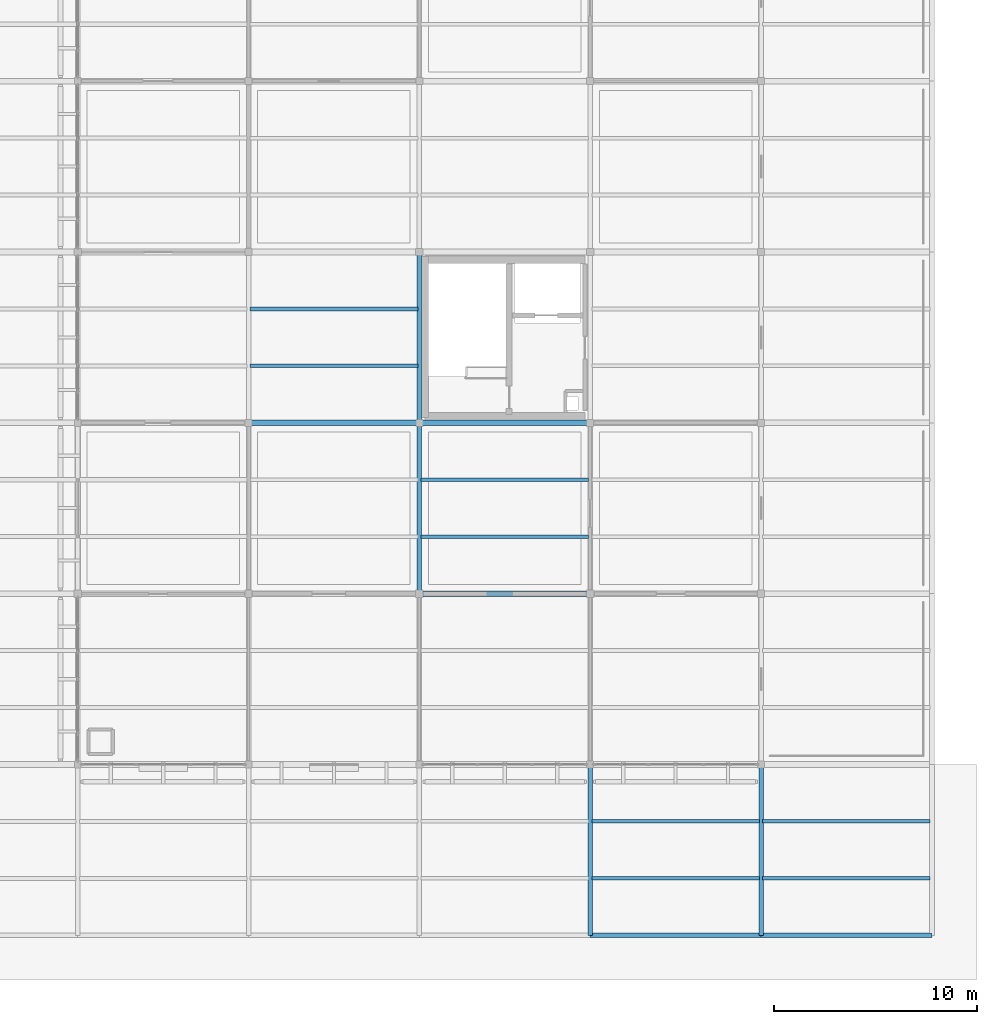
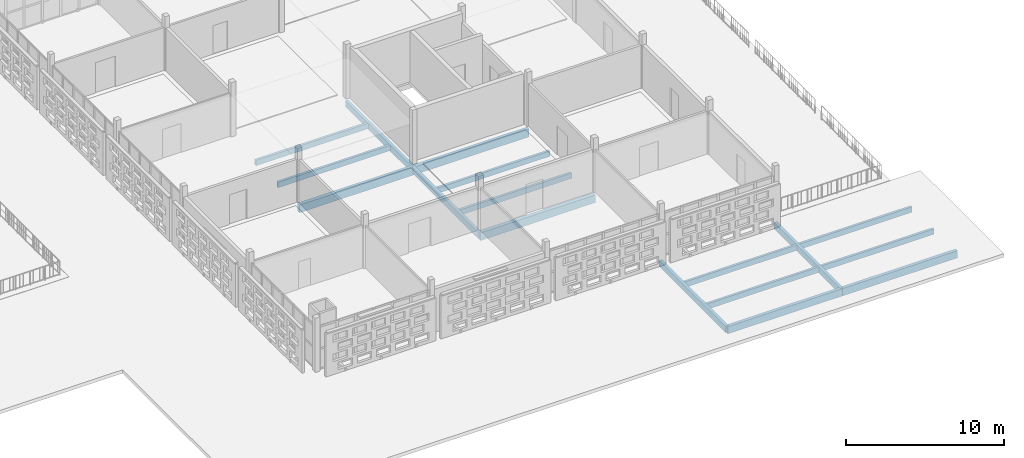
# One storey, part 59 of 166: 17 beams.
"""IFC4 building model written with IfcOpenShell, lengths in metres."""

import ifcopenshell
import ifcopenshell.guid

model = None  # the IFC model being written
_history = None  # IfcOwnerHistory: only IFC2X3 demands one
_inside = {}  # id of a spatial element -> (the spatial element, [elements in it])
_under = {}  # id of a project, library or spatial element -> (it, [spatial elements below it])
_declared = {}  # id of a project -> (the project, [libraries it declares])
_typed = {}  # id of a type object -> (the type object, [elements of that type])
_made_of = {}  # id of a material, layer set ... -> (it, [elements and type objects made of it])


def new_model(schema):
    """Start an empty IFC model of exactly this schema.

    Asked for "IFC4X3", IfcOpenShell would pick the latest addendum, in which some entities
    have other attributes; the version numbers below select the first issue.
    IFC2X3 requires an IfcOwnerHistory on every rooted entity: one is made here for all.
    """
    global model, _history
    if schema == "IFC4X3":
        model = ifcopenshell.file(schema_version=(4, 3, 0, 0))
    else:
        model = ifcopenshell.file(schema=schema)
    _inside.clear()
    _under.clear()
    _declared.clear()
    _typed.clear()
    _made_of.clear()
    _history = None
    if model.schema == "IFC2X3":
        org = make("IfcOrganization", Name="unknown")
        user = make(
            "IfcPersonAndOrganization",
            ThePerson=make("IfcPerson", FamilyName="unknown"),
            TheOrganization=org,
        )
        app = make(
            "IfcApplication",
            ApplicationDeveloper=org,
            Version="unknown",
            ApplicationFullName="unknown",
            ApplicationIdentifier="unknown",
        )
        _history = make(
            "IfcOwnerHistory",
            OwningUser=user,
            OwningApplication=app,
            ChangeAction="ADDED",
            CreationDate=0,
        )
    return model


def make(cls, **values):
    """One entity of the class cls with the attributes given. An attribute that is None is left unset."""
    return model.create_entity(
        cls, **{name: value for name, value in values.items() if value is not None}
    )


def rooted(cls, **values):
    """An entity with a GlobalId (a new one), such as an element, a storey or a relation."""
    return make(cls, GlobalId=ifcopenshell.guid.new(), OwnerHistory=_history, **values)


def si_unit(unit_type, name, prefix=None):
    """IfcSIUnit, for example si_unit("LENGTHUNIT", "METRE", prefix="MILLI")."""
    return make("IfcSIUnit", UnitType=unit_type, Prefix=prefix, Name=name)


def assignment(units):
    """IfcUnitAssignment: the units of a project."""
    return None if units is None else make("IfcUnitAssignment", Units=units)


def point(xyz):
    """IfcCartesianPoint."""
    return None if xyz is None else make("IfcCartesianPoint", Coordinates=xyz)


def direction(xyz):
    """IfcDirection."""
    return None if xyz is None else make("IfcDirection", DirectionRatios=xyz)


def frame(location, z_axis=None, x_axis=None):
    """IfcAxis2Placement3D, a coordinate frame: its origin and axes. An axis left out is left unset."""
    return make(
        "IfcAxis2Placement3D",
        Location=point(location),
        Axis=direction(z_axis),
        RefDirection=direction(x_axis),
    )


def frame_2d(location, x_axis=None):
    """IfcAxis2Placement2D, a coordinate frame in the plane: its origin and x axis."""
    return make(
        "IfcAxis2Placement2D", Location=point(location), RefDirection=direction(x_axis)
    )


def origin():
    """The frame at (0, 0, 0) with its axes left unset."""
    return frame((0.0, 0.0, 0.0))


def origin_2d():
    """The frame at (0, 0) in the plane with its x axis left unset."""
    return frame_2d((0.0, 0.0))


def place(relative_to, where):
    """IfcLocalPlacement: puts the frame where relative to a parent placement (None: the world)."""
    return make(
        "IfcLocalPlacement", PlacementRelTo=relative_to, RelativePlacement=where
    )


def context(
    kind, dimensions, precision=None, world=None, true_north=None, identifier=None
):
    """IfcGeometricRepresentationContext, for example the 3D "Model" context."""
    return make(
        "IfcGeometricRepresentationContext",
        ContextIdentifier=identifier,
        ContextType=kind,
        CoordinateSpaceDimension=dimensions,
        Precision=precision,
        WorldCoordinateSystem=world,
        TrueNorth=true_north,
    )


def subcontext(parent, identifier, kind, view, scale=None):
    """IfcGeometricRepresentationSubContext, for example "Body" below "Model"."""
    return make(
        "IfcGeometricRepresentationSubContext",
        ContextIdentifier=identifier,
        ContextType=kind,
        ParentContext=parent,
        TargetScale=scale,
        TargetView=view,
    )


def project(units=None, contexts=None):
    """IfcProject with its units and contexts."""
    return rooted(
        "IfcProject",
        Name="project",
        RepresentationContexts=contexts,
        UnitsInContext=assignment(units),
    )


def spatial(cls, under=None, at=None, **own):
    """A site, building, storey or space (cls), placed at a placement, below another one or the project."""
    s = rooted(cls, ObjectPlacement=at, **own)
    if under is not None:
        _under.setdefault(under.id(), (under, []))[1].append(s)
    return s


def profile(cls, at=None, kind="AREA", **sizes):
    """A parametric profile (cls). Its sizes go by their IFC names, for example OverallWidth=200.0."""
    return make(cls, ProfileType=kind, Position=at, **sizes)


def rectangle(**sizes):
    """IfcRectangleProfileDef."""
    return profile("IfcRectangleProfileDef", **sizes)


def extrude(swept, where, along, depth):
    """IfcExtrudedAreaSolid: the profile swept, set in the frame where, extruded along a direction by depth."""
    return make(
        "IfcExtrudedAreaSolid",
        SweptArea=swept,
        Position=where,
        ExtrudedDirection=direction(along),
        Depth=depth,
    )


def shape(context_of_items, identifier, shape_type, items):
    """IfcShapeRepresentation: the items that make up one representation, for example the "Body"."""
    return make(
        "IfcShapeRepresentation",
        ContextOfItems=context_of_items,
        RepresentationIdentifier=identifier,
        RepresentationType=shape_type,
        Items=items,
    )


def material(Name=None, Category=None):
    """IfcMaterial."""
    return make("IfcMaterial", Name=Name, Category=Category)


def material_profile(
    of_material, cross_section, Name=None, Category=None, Priority=None
):
    """IfcMaterialProfile: a cross section and its material."""
    return make(
        "IfcMaterialProfile",
        Name=Name,
        Material=of_material,
        Profile=cross_section,
        Priority=Priority,
        Category=Category,
    )


def profile_set(profiles, Name=None, composite=None):
    """IfcMaterialProfileSet."""
    return make(
        "IfcMaterialProfileSet",
        Name=Name,
        MaterialProfiles=profiles,
        CompositeProfile=composite,
    )


def made_of(thing, what):
    """Note that an element or type object is made of a material, layer set ...; save() writes the relation."""
    if what is not None:
        _made_of.setdefault(what.id(), (what, []))[1].append(thing)
    return thing


def type_object(cls, material=None, **own):
    """A type object (cls), such as IfcWallType, which elements share."""
    return made_of(rooted(cls, **own), material)


def element(
    cls,
    number,
    at=None,
    inside=None,
    cuts=None,
    type_object=None,
    material=None,
    context=None,
    identifier="Body",
    shape_type=None,
    held_by="IfcProductDefinitionShape",
    body=None,
    shapes=None,
    **own,
):
    """One element of the class cls, such as IfcWall. Its Tag is "e" and its number.

    at: its placement. inside: the storey or other place that contains it. cuts: it is an
    opening in that element (IfcRelVoidsElement). A single representation is given by context,
    identifier, shape_type and body (its items); several are given by shapes. held_by: the class
    of the entity that holds the representations. save() writes the other relations.
    """
    e = rooted(cls, Tag="e%d" % number, ObjectPlacement=at, **own)
    if body is not None:
        shapes = [shape(context, identifier, shape_type, body)]
    if shapes is not None:
        e.Representation = make(held_by, Representations=shapes)
    if inside is not None:
        _inside.setdefault(inside.id(), (inside, []))[1].append(e)
    if cuts is not None:
        rooted(
            "IfcRelVoidsElement", RelatingBuildingElement=cuts, RelatedOpeningElement=e
        )
    if type_object is not None:
        _typed.setdefault(type_object.id(), (type_object, []))[1].append(e)
    return made_of(e, material)


def aggregate(whole, parts):
    """IfcRelAggregates: a whole, such as a stair, and the parts it consists of."""
    return rooted("IfcRelAggregates", RelatingObject=whole, RelatedObjects=parts)


def save(model, path):
    """Write the relations noted so far, then the file.

    IfcRelAggregates (storeys below a building ...), IfcRelContainedInSpatialStructure (elements
    in a storey), IfcRelDefinesByType, IfcRelAssociatesMaterial and IfcRelDeclares: one each for
    every whole, place, type object, material and project.
    """
    for whole, parts in _under.values():
        aggregate(whole, parts)
    for where, things in _inside.values():
        rooted(
            "IfcRelContainedInSpatialStructure",
            RelatedElements=things,
            RelatingStructure=where,
        )
    for kind, things in _typed.values():
        rooted("IfcRelDefinesByType", RelatedObjects=things, RelatingType=kind)
    for what, things in _made_of.values():
        rooted("IfcRelAssociatesMaterial", RelatedObjects=things, RelatingMaterial=what)
    for by, libraries in _declared.values():
        rooted("IfcRelDeclares", RelatingContext=by, RelatedDefinitions=libraries)
    model.write(path)


model = new_model("IFC4")

# Units and contexts
model_context = context("Model", 3, precision=1e-05, world=origin(), true_north=direction((0.0, 1.0)))
body_context = subcontext(model_context, "Body", "Model", "MODEL_VIEW")
ifc_project = project(units=[si_unit("LENGTHUNIT", "METRE"), si_unit("AREAUNIT", "SQUARE_METRE"), si_unit("VOLUMEUNIT", "CUBIC_METRE"), si_unit("PLANEANGLEUNIT", "RADIAN"), si_unit("MASSUNIT", "GRAM", prefix="KILO")], contexts=[model_context])

# Site, building, storey
site_placement = place(None, origin())
site = spatial("IfcSite", under=ifc_project, at=site_placement, CompositionType="ELEMENT")
building_placement = place(site_placement, origin())
building = spatial("IfcBuilding", under=site, at=building_placement, Name="Varnapada Polytechnic", CompositionType="ELEMENT")
storey_placement = place(building_placement, frame((0.0, 0.0, 9.60009765625)))
storey = spatial("IfcBuildingStorey", under=building, at=storey_placement, Name="L02", CompositionType="ELEMENT", Elevation=9.60009765625)

# Beams
ifc_material = material(Name="Glulam GL32h", Category="wood")
ifc_material_profile_1 = material_profile(ifc_material, rectangle(XDim=0.239990234375, YDim=0.56005859375, at=origin_2d()), Name="GL 240x560")
ifc_profile_set_1 = profile_set([ifc_material_profile_1], Name="Glulam GL32h")
beam_type_1 = type_object("IfcBeamType", Name="Perimeter glulam spandrel beam SP-02 (GL 240x560)", PredefinedType="SPANDREL", material=ifc_profile_set_1)
for number, where, z_axis, x_axis, name in (
    (1, (159.60009765625, 0.0, -0.550048828125), (1.0, 0.0, 0.0), (0.0, 1.0, 0.0), "L02 beam X 20-21 at Y1"),
    (2, (168.0, 0.0, -0.550048828125), (1.0, 0.0, 0.0), (0.0, 1.0, 0.0), "L02 beam X 21-22 at Y1"),
):
    element("IfcBeam", number, at=place(storey_placement, frame(where, z_axis=z_axis, x_axis=x_axis)), inside=storey, type_object=beam_type_1, Name=name, PredefinedType="SPANDREL", context=body_context, shape_type="SweptSolid", body=[
        extrude(rectangle(XDim=0.239990234375, YDim=0.56005859375, at=origin_2d()), origin(), (0.0, 0.0, 1.0), 8.39990234375),
    ])
ifc_material_profile_2 = material_profile(ifc_material, rectangle(XDim=0.280029296875, YDim=0.60009765625, at=origin_2d()), Name="GL 280x600")
ifc_profile_set_2 = profile_set([ifc_material_profile_2], Name="Glulam GL32h")
beam_type_2 = type_object("IfcBeamType", Name="Reading hall glulam girder GG-08 (GL 280x600)", PredefinedType="BEAM", material=ifc_profile_set_2)
beam_1_placement = place(storey_placement, frame((142.800048828125, 25.199951171875, -0.550048828125), z_axis=(1.0, 0.0, 0.0), x_axis=(0.0, 1.0, 0.0)))
element("IfcBeam", 3, at=beam_1_placement, inside=storey, type_object=beam_type_2, Name="L02 beam X 18-19 at Y4", PredefinedType="BEAM", context=body_context, shape_type="SweptSolid", body=[
    extrude(rectangle(XDim=0.280029296875, YDim=0.60009765625, at=origin_2d()), origin(), (0.0, 0.0, 1.0), 8.39990234375),
])
for number, where, z_axis, x_axis, name in (
    (4, (151.199951171875, 16.800048828125, -0.550048828125), (1.0, 0.0, 0.0), (0.0, 1.0, 0.0), "L02 beam X 19-20 at Y3"),
    (5, (151.199951171875, 25.199951171875, -0.550048828125), (1.0, 0.0, 0.0), (0.0, 1.0, 0.0), "L02 beam X 19-20 at Y4"),
):
    element("IfcBeam", number, at=place(storey_placement, frame(where, z_axis=z_axis, x_axis=x_axis)), inside=storey, type_object=beam_type_2, Name=name, PredefinedType="BEAM", context=body_context, shape_type="SweptSolid", body=[
        extrude(rectangle(XDim=0.280029296875, YDim=0.60009765625, at=origin_2d()), origin(), (0.0, 0.0, 1.0), 8.400146484375),
    ])
ifc_material_profile_3 = material_profile(ifc_material, rectangle(XDim=0.179931640625, YDim=0.419921875, at=origin_2d()), Name="GL 180x420")
ifc_profile_set_3 = profile_set([ifc_material_profile_3], Name="Glulam GL32h")
beam_type_3 = type_object("IfcBeamType", Name="Reading hall glulam joist GJ-04 (GL 180x420)", PredefinedType="JOIST", material=ifc_profile_set_3)
for number, where, z_axis, x_axis, name in (
    (6, (142.8798828125, 28.0, -0.460205078125), (1.0, 0.0, 0.0), (0.0, 1.0, 0.0), "L02 floor joist 18/4.1"),
    (7, (142.8798828125, 30.800048828125, -0.460205078125), (1.0, 0.0, 0.0), (0.0, 1.0, 0.0), "L02 floor joist 18/4.2"),
):
    element("IfcBeam", number, at=place(storey_placement, frame(where, z_axis=z_axis, x_axis=x_axis)), inside=storey, type_object=beam_type_3, Name=name, PredefinedType="JOIST", context=body_context, shape_type="SweptSolid", body=[
        extrude(rectangle(XDim=0.179931640625, YDim=0.419921875, at=origin_2d()), origin(), (0.0, 0.0, 1.0), 8.240234375),
    ])
for number, where, z_axis, x_axis, name in (
    (8, (151.280029296875, 19.60009765625, -0.460205078125), (1.0, 0.0, 0.0), (0.0, 1.0, 0.0), "L02 floor joist 19/3.1"),
    (9, (151.280029296875, 22.39990234375, -0.460205078125), (1.0, 0.0, 0.0), (0.0, 1.0, 0.0), "L02 floor joist 19/3.2"),
    (10, (159.679931640625, 2.800048828125, -0.47998046875), (1.0, 0.0, 0.0), (0.0, 1.0, 0.0), "L02 floor joist 20/1.1"),
    (11, (159.679931640625, 5.60009765625, -0.47998046875), (1.0, 0.0, 0.0), (0.0, 1.0, 0.0), "L02 floor joist 20/1.2"),
    (12, (168.080078125, 2.800048828125, -0.47998046875), (1.0, 0.0, 0.0), (0.0, 1.0, 0.0), "L02 floor joist 21/1.1"),
    (13, (168.080078125, 5.60009765625, -0.47998046875), (1.0, 0.0, 0.0), (0.0, 1.0, 0.0), "L02 floor joist 21/1.2"),
):
    element("IfcBeam", number, at=place(storey_placement, frame(where, z_axis=z_axis, x_axis=x_axis)), inside=storey, type_object=beam_type_3, Name=name, PredefinedType="JOIST", context=body_context, shape_type="SweptSolid", body=[
        extrude(rectangle(XDim=0.179931640625, YDim=0.419921875, at=origin_2d()), origin(), (0.0, 0.0, 1.0), 8.239990234375),
    ])
ifc_material_profile_4 = material_profile(ifc_material, rectangle(XDim=0.219970703125, YDim=0.47998046875, at=origin_2d()), Name="GL 220x480")
ifc_profile_set_4 = profile_set([ifc_material_profile_4], Name="Glulam GL32h")
beam_type_4 = type_object("IfcBeamType", Name="Upper floor glulam tie beam GB-11 (GL 220x480)", PredefinedType="BEAM", material=ifc_profile_set_4)
beam_2_placement = place(storey_placement, frame((151.199951171875, 16.800048828125, -0.489990234375), z_axis=(0.0, 1.0, 0.0), x_axis=(-1.0, 0.0, 0.0)))
element("IfcBeam", 14, at=beam_2_placement, inside=storey, type_object=beam_type_4, Name="L02 beam Y 3-4 at X19", PredefinedType="BEAM", context=body_context, shape_type="SweptSolid", body=[
    extrude(rectangle(XDim=0.219970703125, YDim=0.47998046875, at=origin_2d()), origin(), (0.0, 0.0, 1.0), 8.39990234375),
])
beam_3_placement = place(storey_placement, frame((151.199951171875, 25.199951171875, -0.489990234375), z_axis=(0.0, 1.0, 0.0), x_axis=(-1.0, 0.0, 0.0)))
element("IfcBeam", 15, at=beam_3_placement, inside=storey, type_object=beam_type_4, Name="L02 beam Y 4-5 at X19", PredefinedType="BEAM", context=body_context, shape_type="SweptSolid", body=[
    extrude(rectangle(XDim=0.219970703125, YDim=0.47998046875, at=origin_2d()), origin(), (0.0, 0.0, 1.0), 8.400146484375),
])
for number, where, z_axis, x_axis, name in (
    (16, (159.60009765625, 0.0, -0.510009765625), (0.0, 1.0, 0.0), (-1.0, 0.0, 0.0), "L02 beam Y 1-2 at X20"),
    (17, (168.0, 0.0, -0.510009765625), (0.0, 1.0, 0.0), (-1.0, 0.0, 0.0), "L02 beam Y 1-2 at X21"),
):
    element("IfcBeam", number, at=place(storey_placement, frame(where, z_axis=z_axis, x_axis=x_axis)), inside=storey, type_object=beam_type_4, Name=name, PredefinedType="BEAM", context=body_context, shape_type="SweptSolid", body=[
        extrude(rectangle(XDim=0.219970703125, YDim=0.47998046875, at=origin_2d()), origin(), (0.0, 0.0, 1.0), 8.39990234375),
    ])

save(model, "model.ifc")
